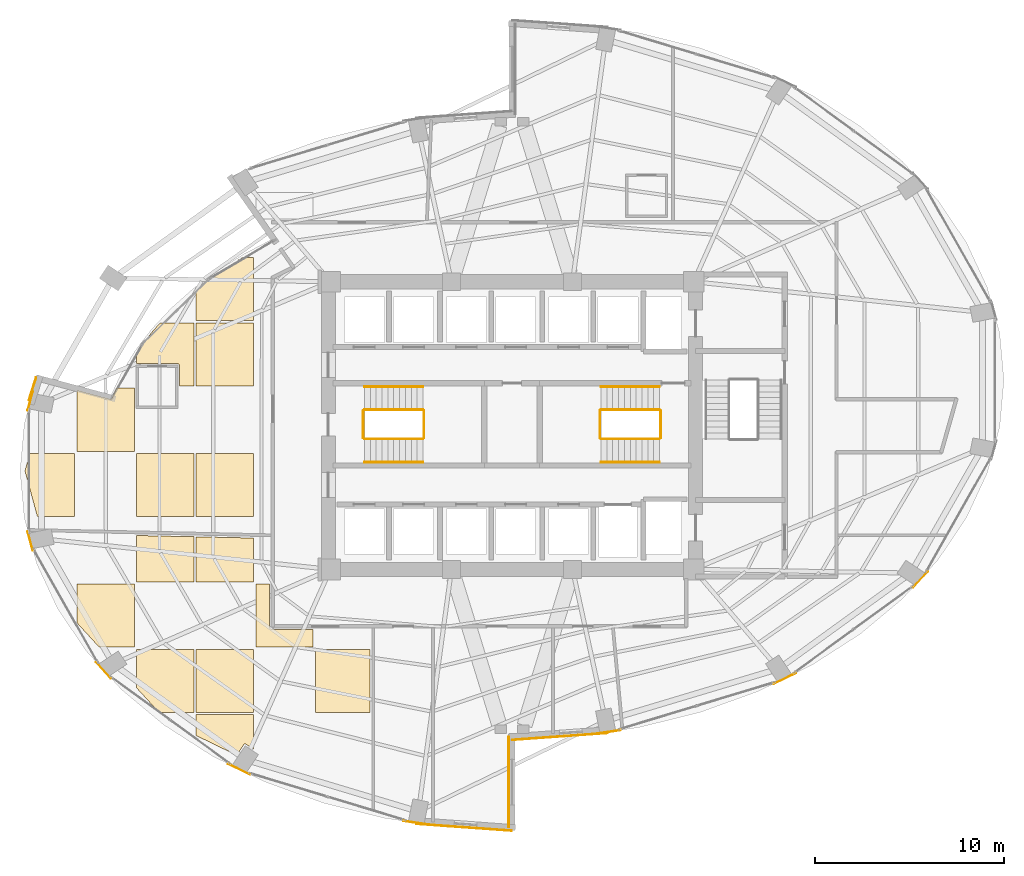
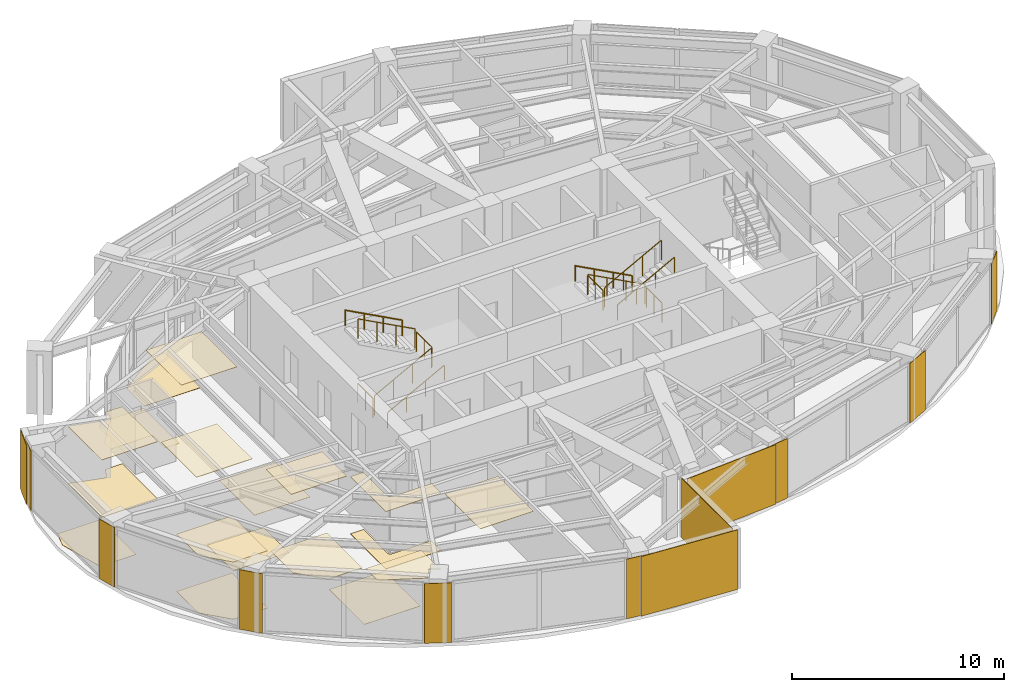
# One storey, part 23 of 24: 30 coverings, 12 railings.
"""IFC4 building model written with IfcOpenShell, lengths in metres."""

import ifcopenshell
import ifcopenshell.guid

model = None  # the IFC model being written
_history = None  # IfcOwnerHistory: only IFC2X3 demands one
_inside = {}  # id of a spatial element -> (the spatial element, [elements in it])
_under = {}  # id of a project, library or spatial element -> (it, [spatial elements below it])
_declared = {}  # id of a project -> (the project, [libraries it declares])
_typed = {}  # id of a type object -> (the type object, [elements of that type])
_made_of = {}  # id of a material, layer set ... -> (it, [elements and type objects made of it])


def new_model(schema):
    """Start an empty IFC model of exactly this schema.

    Asked for "IFC4X3", IfcOpenShell would pick the latest addendum, in which some entities
    have other attributes; the version numbers below select the first issue.
    IFC2X3 requires an IfcOwnerHistory on every rooted entity: one is made here for all.
    """
    global model, _history
    if schema == "IFC4X3":
        model = ifcopenshell.file(schema_version=(4, 3, 0, 0))
    else:
        model = ifcopenshell.file(schema=schema)
    _inside.clear()
    _under.clear()
    _declared.clear()
    _typed.clear()
    _made_of.clear()
    _history = None
    if model.schema == "IFC2X3":
        org = make("IfcOrganization", Name="unknown")
        user = make(
            "IfcPersonAndOrganization",
            ThePerson=make("IfcPerson", FamilyName="unknown"),
            TheOrganization=org,
        )
        app = make(
            "IfcApplication",
            ApplicationDeveloper=org,
            Version="unknown",
            ApplicationFullName="unknown",
            ApplicationIdentifier="unknown",
        )
        _history = make(
            "IfcOwnerHistory",
            OwningUser=user,
            OwningApplication=app,
            ChangeAction="ADDED",
            CreationDate=0,
        )
    return model


def make(cls, **values):
    """One entity of the class cls with the attributes given. An attribute that is None is left unset."""
    return model.create_entity(
        cls, **{name: value for name, value in values.items() if value is not None}
    )


def rooted(cls, **values):
    """An entity with a GlobalId (a new one), such as an element, a storey or a relation."""
    return make(cls, GlobalId=ifcopenshell.guid.new(), OwnerHistory=_history, **values)


def si_unit(unit_type, name, prefix=None):
    """IfcSIUnit, for example si_unit("LENGTHUNIT", "METRE", prefix="MILLI")."""
    return make("IfcSIUnit", UnitType=unit_type, Prefix=prefix, Name=name)


def assignment(units):
    """IfcUnitAssignment: the units of a project."""
    return None if units is None else make("IfcUnitAssignment", Units=units)


def point(xyz):
    """IfcCartesianPoint."""
    return None if xyz is None else make("IfcCartesianPoint", Coordinates=xyz)


def direction(xyz):
    """IfcDirection."""
    return None if xyz is None else make("IfcDirection", DirectionRatios=xyz)


def frame(location, z_axis=None, x_axis=None):
    """IfcAxis2Placement3D, a coordinate frame: its origin and axes. An axis left out is left unset."""
    return make(
        "IfcAxis2Placement3D",
        Location=point(location),
        Axis=direction(z_axis),
        RefDirection=direction(x_axis),
    )


def frame_2d(location, x_axis=None):
    """IfcAxis2Placement2D, a coordinate frame in the plane: its origin and x axis."""
    return make(
        "IfcAxis2Placement2D", Location=point(location), RefDirection=direction(x_axis)
    )


def origin():
    """The frame at (0, 0, 0) with its axes left unset."""
    return frame((0.0, 0.0, 0.0))


def origin_2d():
    """The frame at (0, 0) in the plane with its x axis left unset."""
    return frame_2d((0.0, 0.0))


def place(relative_to, where):
    """IfcLocalPlacement: puts the frame where relative to a parent placement (None: the world)."""
    return make(
        "IfcLocalPlacement", PlacementRelTo=relative_to, RelativePlacement=where
    )


def context(
    kind, dimensions, precision=None, world=None, true_north=None, identifier=None
):
    """IfcGeometricRepresentationContext, for example the 3D "Model" context."""
    return make(
        "IfcGeometricRepresentationContext",
        ContextIdentifier=identifier,
        ContextType=kind,
        CoordinateSpaceDimension=dimensions,
        Precision=precision,
        WorldCoordinateSystem=world,
        TrueNorth=true_north,
    )


def subcontext(parent, identifier, kind, view, scale=None):
    """IfcGeometricRepresentationSubContext, for example "Body" below "Model"."""
    return make(
        "IfcGeometricRepresentationSubContext",
        ContextIdentifier=identifier,
        ContextType=kind,
        ParentContext=parent,
        TargetScale=scale,
        TargetView=view,
    )


def project(units=None, contexts=None):
    """IfcProject with its units and contexts."""
    return rooted(
        "IfcProject",
        Name="project",
        RepresentationContexts=contexts,
        UnitsInContext=assignment(units),
    )


def spatial(cls, under=None, at=None, **own):
    """A site, building, storey or space (cls), placed at a placement, below another one or the project."""
    s = rooted(cls, ObjectPlacement=at, **own)
    if under is not None:
        _under.setdefault(under.id(), (under, []))[1].append(s)
    return s


def polyline(points):
    """IfcPolyline through the points."""
    return make("IfcPolyline", Points=[point(p) for p in points])


def profile(cls, at=None, kind="AREA", **sizes):
    """A parametric profile (cls). Its sizes go by their IFC names, for example OverallWidth=200.0."""
    return make(cls, ProfileType=kind, Position=at, **sizes)


def rectangle(**sizes):
    """IfcRectangleProfileDef."""
    return profile("IfcRectangleProfileDef", **sizes)


def circle(**sizes):
    """IfcCircleProfileDef."""
    return profile("IfcCircleProfileDef", **sizes)


def outline(outer, holes=None, kind="AREA"):
    """IfcArbitraryClosedProfileDef: a profile drawn as a closed curve; with holes, ...WithVoids."""
    if holes is None:
        return make("IfcArbitraryClosedProfileDef", ProfileType=kind, OuterCurve=outer)
    return make(
        "IfcArbitraryProfileDefWithVoids",
        ProfileType=kind,
        OuterCurve=outer,
        InnerCurves=holes,
    )


def extrude(swept, where, along, depth):
    """IfcExtrudedAreaSolid: the profile swept, set in the frame where, extruded along a direction by depth."""
    return make(
        "IfcExtrudedAreaSolid",
        SweptArea=swept,
        Position=where,
        ExtrudedDirection=direction(along),
        Depth=depth,
    )


def shape(context_of_items, identifier, shape_type, items):
    """IfcShapeRepresentation: the items that make up one representation, for example the "Body"."""
    return make(
        "IfcShapeRepresentation",
        ContextOfItems=context_of_items,
        RepresentationIdentifier=identifier,
        RepresentationType=shape_type,
        Items=items,
    )


def material(Name=None, Category=None):
    """IfcMaterial."""
    return make("IfcMaterial", Name=Name, Category=Category)


def layer(
    of_material, thickness, ventilated=None, Name=None, Category=None, Priority=None
):
    """IfcMaterialLayer: one layer of a wall or slab, of a material (None: an air gap)."""
    return make(
        "IfcMaterialLayer",
        Material=of_material,
        LayerThickness=thickness,
        IsVentilated=ventilated,
        Name=Name,
        Category=Category,
        Priority=Priority,
    )


def layer_set(layers, Name=None):
    """IfcMaterialLayerSet."""
    return make("IfcMaterialLayerSet", MaterialLayers=layers, LayerSetName=Name)


def made_of(thing, what):
    """Note that an element or type object is made of a material, layer set ...; save() writes the relation."""
    if what is not None:
        _made_of.setdefault(what.id(), (what, []))[1].append(thing)
    return thing


def type_object(cls, material=None, **own):
    """A type object (cls), such as IfcWallType, which elements share."""
    return made_of(rooted(cls, **own), material)


def element(
    cls,
    number,
    at=None,
    inside=None,
    cuts=None,
    type_object=None,
    material=None,
    context=None,
    identifier="Body",
    shape_type=None,
    held_by="IfcProductDefinitionShape",
    body=None,
    shapes=None,
    **own,
):
    """One element of the class cls, such as IfcWall. Its Tag is "e" and its number.

    at: its placement. inside: the storey or other place that contains it. cuts: it is an
    opening in that element (IfcRelVoidsElement). A single representation is given by context,
    identifier, shape_type and body (its items); several are given by shapes. held_by: the class
    of the entity that holds the representations. save() writes the other relations.
    """
    e = rooted(cls, Tag="e%d" % number, ObjectPlacement=at, **own)
    if body is not None:
        shapes = [shape(context, identifier, shape_type, body)]
    if shapes is not None:
        e.Representation = make(held_by, Representations=shapes)
    if inside is not None:
        _inside.setdefault(inside.id(), (inside, []))[1].append(e)
    if cuts is not None:
        rooted(
            "IfcRelVoidsElement", RelatingBuildingElement=cuts, RelatedOpeningElement=e
        )
    if type_object is not None:
        _typed.setdefault(type_object.id(), (type_object, []))[1].append(e)
    return made_of(e, material)


def aggregate(whole, parts):
    """IfcRelAggregates: a whole, such as a stair, and the parts it consists of."""
    return rooted("IfcRelAggregates", RelatingObject=whole, RelatedObjects=parts)


def save(model, path):
    """Write the relations noted so far, then the file.

    IfcRelAggregates (storeys below a building ...), IfcRelContainedInSpatialStructure (elements
    in a storey), IfcRelDefinesByType, IfcRelAssociatesMaterial and IfcRelDeclares: one each for
    every whole, place, type object, material and project.
    """
    for whole, parts in _under.values():
        aggregate(whole, parts)
    for where, things in _inside.values():
        rooted(
            "IfcRelContainedInSpatialStructure",
            RelatedElements=things,
            RelatingStructure=where,
        )
    for kind, things in _typed.values():
        rooted("IfcRelDefinesByType", RelatedObjects=things, RelatingType=kind)
    for what, things in _made_of.values():
        rooted("IfcRelAssociatesMaterial", RelatedObjects=things, RelatingMaterial=what)
    for by, libraries in _declared.values():
        rooted("IfcRelDeclares", RelatingContext=by, RelatedDefinitions=libraries)
    model.write(path)


model = new_model("IFC4")

# Units and contexts
model_context = context("Model", 3, precision=1e-05, world=origin(), true_north=direction((0.0, 1.0)))
body_context = subcontext(model_context, "Body", "Model", "MODEL_VIEW")
ifc_project = project(units=[si_unit("LENGTHUNIT", "METRE"), si_unit("AREAUNIT", "SQUARE_METRE"), si_unit("VOLUMEUNIT", "CUBIC_METRE"), si_unit("PLANEANGLEUNIT", "RADIAN"), si_unit("MASSUNIT", "GRAM", prefix="KILO")], contexts=[model_context])

# Site, building, storey
site_placement = place(None, origin())
site = spatial("IfcSite", under=ifc_project, at=site_placement, CompositionType="ELEMENT")
building_placement = place(site_placement, origin())
building = spatial("IfcBuilding", under=site, at=building_placement, Name="Lazwardi Medical Tower", CompositionType="ELEMENT")
storey_placement = place(building_placement, frame((0.0, 0.0, 118.22412109375)))
storey = spatial("IfcBuildingStorey", under=building, at=storey_placement, Name="L30", CompositionType="ELEMENT", Elevation=118.22412109375)

# Coverings
ifc_material_1 = material(Name="Anodised bronze aluminium cassette cladding", Category="aluminium")
ifc_layer_1 = layer(ifc_material_1, 0.030029296875)
ifc_layer_set_1 = layer_set([ifc_layer_1], Name="Anodised bronze aluminium cassette cladding")
covering_type_1 = type_object("IfcCoveringType", Name="COV-CLD-BRZ", PredefinedType="CLADDING", material=ifc_layer_set_1)
covering_1_placement = place(storey_placement, frame((41.064208984375, 11.80322265625, 0.0), z_axis=(0.0, 0.0, 1.0), x_axis=(0.989609019093, 0.143784523955, 0.0)))
element("IfcCovering", 1, at=covering_1_placement, inside=storey, type_object=covering_type_1, Name="L30 Mega-column bronze cassette cover M01", PredefinedType="CLADDING", context=body_context, shape_type="SweptSolid", body=[
    extrude(rectangle(XDim=1.392333984375, YDim=0.030029296875, at=origin_2d()), origin(), (0.0, 0.0, 1.0), 3.427978515625),
])
covering_2_placement = place(storey_placement, frame((50.421875, 14.634521484375, 0.0), z_axis=(0.0, 0.0, 1.0), x_axis=(0.898679250201, 0.438606435495, 0.0)))
element("IfcCovering", 2, at=covering_2_placement, inside=storey, type_object=covering_type_1, Name="L30 Mega-column bronze cassette cover M02", PredefinedType="CLADDING", context=body_context, shape_type="SweptSolid", body=[
    extrude(rectangle(XDim=1.2998046875, YDim=0.030029296875, at=origin_2d()), origin(), (0.0, 0.0, 1.0), 3.427978515625),
])
covering_3_placement = place(storey_placement, frame((57.583740234375, 19.86572265625, 0.0), z_axis=(0.0, 0.0, 1.0), x_axis=(0.674925949214, 0.737885467453, 0.0)))
element("IfcCovering", 3, at=covering_3_placement, inside=storey, type_object=covering_type_1, Name="L30 Mega-column bronze cassette cover M03", PredefinedType="CLADDING", context=body_context, shape_type="SweptSolid", body=[
    extrude(rectangle(XDim=1.15625, YDim=0.030029296875, at=origin_2d()), origin(), (0.0, 0.0, 1.0), 3.427978515625),
])
for number, where, z_axis, x_axis, name in (
    (4, (10.540283203125, 29.299072265625, 0.0), (0.0, 0.0, 1.0), (-0.262696108164, -0.964878621774, 0.0), "L30 Mega-column bronze cassette cover M12"),
    (5, (10.540283203125, 21.90087890625, 0.0), (0.0, 0.0, 1.0), (0.262696108164, -0.964878621774, 0.0), "L30 Mega-column bronze cassette cover M13"),
):
    element("IfcCovering", number, at=place(storey_placement, frame(where, z_axis=z_axis, x_axis=x_axis)), inside=storey, type_object=covering_type_1, Name=name, PredefinedType="CLADDING", context=body_context, shape_type="SweptSolid", body=[
        extrude(rectangle(XDim=1.04296875, YDim=0.030029296875, at=origin_2d()), origin(), (0.0, 0.0, 1.0), 3.427978515625),
    ])
covering_4_placement = place(storey_placement, frame((14.416259765625, 15.06591796875, 0.0), z_axis=(0.0, 0.0, 1.0), x_axis=(0.674925949214, -0.737885467453, 0.0)))
element("IfcCovering", 6, at=covering_4_placement, inside=storey, type_object=covering_type_1, Name="L30 Mega-column bronze cassette cover M14", PredefinedType="CLADDING", context=body_context, shape_type="SweptSolid", body=[
    extrude(rectangle(XDim=1.15625, YDim=0.030029296875, at=origin_2d()), origin(), (0.0, 0.0, 1.0), 3.427978515625),
])
covering_5_placement = place(storey_placement, frame((21.578125, 9.83447265625, 0.0), z_axis=(0.0, 0.0, 1.0), x_axis=(0.898679250201, -0.438606435495, 0.0)))
element("IfcCovering", 7, at=covering_5_placement, inside=storey, type_object=covering_type_1, Name="L30 Mega-column bronze cassette cover M15", PredefinedType="CLADDING", context=body_context, shape_type="SweptSolid", body=[
    extrude(rectangle(XDim=1.2998046875, YDim=0.030029296875, at=origin_2d()), origin(), (0.0, 0.0, 1.0), 3.427978515625),
])
covering_6_placement = place(storey_placement, frame((30.935791015625, 7.00341796875, 0.0), z_axis=(0.0, 0.0, 1.0), x_axis=(0.989609019093, -0.143784523955, 0.0)))
element("IfcCovering", 8, at=covering_6_placement, inside=storey, type_object=covering_type_1, Name="L30 Mega-column bronze cassette cover M16", PredefinedType="CLADDING", context=body_context, shape_type="SweptSolid", body=[
    extrude(rectangle(XDim=1.392333984375, YDim=0.030029296875, at=origin_2d()), origin(), (0.0, 0.0, 1.0), 3.427978515625),
])
ifc_material_2 = material(Name="Turquoise glazed ceramic tilework cladding", Category="masonry")
ifc_layer_2 = layer(ifc_material_2, 0.034912109375)
ifc_layer_set_2 = layer_set([ifc_layer_2], Name="Turquoise glazed ceramic tilework cladding")
covering_type_2 = type_object("IfcCoveringType", Name="COV-CLD-TRQ", PredefinedType="CLADDING", material=ifc_layer_set_2)
covering_7_placement = place(storey_placement, frame((38.533203125, 11.56591796875, 0.0), z_axis=(0.0, 0.0, 1.0), x_axis=(0.997431665415, 0.07162452672, 0.0)))
element("IfcCovering", 9, at=covering_7_placement, inside=storey, type_object=covering_type_2, Name="L30 Turquoise glazed ceramic tilework cladding", PredefinedType="CLADDING", context=body_context, shape_type="SweptSolid", body=[
    extrude(rectangle(XDim=5.05419921875, YDim=0.034912109375, at=origin_2d()), origin(), (0.0, 0.0, 1.0), 3.427978515625),
])
covering_8_placement = place(storey_placement, frame((33.466552734375, 6.76611328125, 0.0), z_axis=(0.0, 0.0, 1.0), x_axis=(0.997431165357, -0.071631490105, 0.0)))
element("IfcCovering", 10, at=covering_8_placement, inside=storey, type_object=covering_type_2, Name="L30 Turquoise glazed ceramic tilework cladding", PredefinedType="CLADDING", context=body_context, shape_type="SweptSolid", body=[
    extrude(rectangle(XDim=5.0537109375, YDim=0.034912109375, at=origin_2d()), origin(), (0.0, 0.0, 1.0), 3.427978515625),
])
covering_9_placement = place(storey_placement, frame((35.824462890625, 9.159912109375, 0.0), z_axis=(0.0, 0.0, 1.0), x_axis=(0.0, 1.0, 0.0)))
element("IfcCovering", 11, at=covering_9_placement, inside=storey, type_object=covering_type_2, Name="L30 Turquoise glazed ceramic tilework iwan panel", PredefinedType="CLADDING", context=body_context, shape_type="SweptSolid", body=[
    extrude(rectangle(XDim=4.800048828125, YDim=0.034912109375, at=origin_2d()), origin(), (0.0, 0.0, 1.0), 3.427978515625),
])
covering_10_placement = place(storey_placement, frame((10.661865234375, 29.933837890625, 0.0), z_axis=(0.0, 0.0, 1.0), x_axis=(-0.304555105539, -0.952494717933, 0.0)))
element("IfcCovering", 12, at=covering_10_placement, inside=storey, type_object=covering_type_2, Name="L30 Turquoise glazed ceramic tilework cladding", PredefinedType="CLADDING", context=body_context, shape_type="SweptSolid", body=[
    extrude(rectangle(XDim=1.26171875, YDim=0.034912109375, at=origin_2d()), origin(), (0.0, 0.0, 1.0), 3.427978515625),
])
ifc_material_3 = material(Name="Acoustic mineral fibre tile")
ifc_layer_3 = layer(ifc_material_3, 0.02490234375)
ifc_layer_set_3 = layer_set([ifc_layer_3], Name="Acoustic mineral fibre tile")
covering_type_3 = type_object("IfcCoveringType", Name="COV-CLG-01", PredefinedType="CEILING", material=ifc_layer_set_3)
covering_11_placement = place(storey_placement, frame((0.0, 0.0, 3.282958984375)))
element("IfcCovering", 13, at=covering_11_placement, inside=storey, type_object=covering_type_3, Name="L30 Clinical Acoustic Ceiling 1", PredefinedType="CEILING", context=body_context, shape_type="SweptSolid", body=[
    extrude(outline(polyline([(13.012939453125, 17.56982421875), (14.18408203125, 16.29248046875), (16.04296875, 16.29248046875), (16.04296875, 19.622314453125), (13.012939453125, 19.622314453125), (13.012939453125, 17.56982421875)])), origin(), (0.0, 0.0, 1.0), 0.02490234375),
])
covering_12_placement = place(storey_placement, frame((0.0, 0.0, 3.282958984375)))
element("IfcCovering", 14, at=covering_12_placement, inside=storey, type_object=covering_type_3, Name="L30 Clinical Acoustic Ceiling 2", PredefinedType="CEILING", context=body_context, shape_type="SweptSolid", body=[
    extrude(outline(polyline([(16.04296875, 28.943359375), (16.0419921875, 28.949951171875), (16.041259765625, 28.956787109375), (16.040771484375, 28.963623046875), (16.040771484375, 28.968505859375), (16.040771484375, 29.972412109375), (15.108154296875, 29.972412109375), (14.86083984375, 29.438232421875), (14.857177734375, 29.43115234375), (14.852783203125, 29.424560546875), (14.84765625, 29.41845703125), (14.842041015625, 29.41259765625), (14.8359375, 29.40771484375), (14.829345703125, 29.4033203125), (14.822265625, 29.3994140625), (14.814697265625, 29.396484375), (14.80712890625, 29.394287109375), (14.79931640625, 29.392578125), (14.791259765625, 29.39208984375), (14.783203125, 29.39208984375), (14.775390625, 29.392822265625), (14.767578125, 29.39453125), (13.012939453125, 29.86474609375), (13.012939453125, 26.642333984375), (16.04296875, 26.642333984375), (16.04296875, 28.943359375)])), origin(), (0.0, 0.0, 1.0), 0.02490234375),
])
covering_13_placement = place(storey_placement, frame((0.0, 0.0, 3.282958984375)))
element("IfcCovering", 15, at=covering_13_placement, inside=storey, type_object=covering_type_3, Name="L30 Clinical Acoustic Ceiling 3", PredefinedType="CEILING", context=body_context, shape_type="SweptSolid", body=[
    extrude(outline(polyline([(16.162841796875, 14.1337890625), (17.3466796875, 12.84228515625), (19.19287109375, 12.84228515625), (19.19287109375, 16.17236328125), (16.162841796875, 16.17236328125), (16.162841796875, 14.1337890625)])), origin(), (0.0, 0.0, 1.0), 0.02490234375),
])
covering_14_placement = place(storey_placement, frame((0.0, 0.0, 3.282958984375)))
element("IfcCovering", 16, at=covering_14_placement, inside=storey, type_object=covering_type_3, Name="L30 Clinical Acoustic Ceiling 4", PredefinedType="CEILING", context=body_context, shape_type="SweptSolid", body=[
    extrude(outline(polyline([(19.19287109375, 23.1923828125), (19.19287109375, 26.5224609375), (16.162841796875, 26.5224609375), (16.162841796875, 23.1923828125), (19.19287109375, 23.1923828125)])), origin(), (0.0, 0.0, 1.0), 0.02490234375),
])
covering_15_placement = place(storey_placement, frame((0.0, 0.0, 3.282958984375)))
element("IfcCovering", 17, at=covering_15_placement, inside=storey, type_object=covering_type_3, Name="L30 Clinical Acoustic Ceiling 5", PredefinedType="CEILING", context=body_context, shape_type="SweptSolid", body=[
    extrude(outline(polyline([(19.31298828125, 11.616455078125), (21.447509765625, 10.576904296875), (21.828369140625, 11.14697265625), (21.8330078125, 11.1533203125), (21.83837890625, 11.1591796875), (21.843994140625, 11.164306640625), (21.8505859375, 11.1689453125), (21.857177734375, 11.173095703125), (21.8642578125, 11.176513671875), (21.87158203125, 11.17919921875), (21.87939453125, 11.180908203125), (21.88720703125, 11.18212890625), (21.89501953125, 11.1826171875), (21.902587890625, 11.18212890625), (21.910400390625, 11.180908203125), (21.918212890625, 11.17919921875), (21.925537109375, 11.176513671875), (21.9326171875, 11.173095703125), (21.939208984375, 11.1689453125), (22.343017578125, 10.8994140625), (22.343017578125, 12.722412109375), (19.31298828125, 12.722412109375), (19.31298828125, 11.616455078125)])), origin(), (0.0, 0.0, 1.0), 0.02490234375),
])
covering_16_placement = place(storey_placement, frame((0.0, 0.0, 3.282958984375)))
element("IfcCovering", 18, at=covering_16_placement, inside=storey, type_object=covering_type_3, Name="L30 Clinical Acoustic Ceiling 6", PredefinedType="CEILING", context=body_context, shape_type="SweptSolid", body=[
    extrude(outline(polyline([(22.343017578125, 22.056396484375), (19.31298828125, 22.1220703125), (19.31298828125, 19.742431640625), (22.343017578125, 19.742431640625), (22.343017578125, 22.056396484375)])), origin(), (0.0, 0.0, 1.0), 0.02490234375),
])
covering_17_placement = place(storey_placement, frame((0.0, 0.0, 3.282958984375)))
element("IfcCovering", 19, at=covering_17_placement, inside=storey, type_object=covering_type_3, Name="L30 Clinical Acoustic Ceiling 7", PredefinedType="CEILING", context=body_context, shape_type="SweptSolid", body=[
    extrude(outline(polyline([(22.343017578125, 30.09228515625), (22.343017578125, 33.42236328125), (19.31298828125, 33.42236328125), (19.31298828125, 30.09228515625), (22.343017578125, 30.09228515625)])), origin(), (0.0, 0.0, 1.0), 0.02490234375),
])
covering_18_placement = place(storey_placement, frame((0.0, 0.0, 3.282958984375)))
element("IfcCovering", 20, at=covering_18_placement, inside=storey, type_object=covering_type_3, Name="L30 Clinical Acoustic Ceiling 8", PredefinedType="CEILING", context=body_context, shape_type="SweptSolid", body=[
    extrude(outline(polyline([(25.492919921875, 17.22509765625), (23.35009765625, 17.22509765625), (23.345703125, 17.22509765625), (23.33642578125, 17.2255859375), (23.32958984375, 17.226318359375), (23.3203125, 17.2275390625), (23.31201171875, 17.229248046875), (23.302734375, 17.2314453125), (23.2958984375, 17.233642578125), (23.287109375, 17.23681640625), (23.279296875, 17.239990234375), (23.270751953125, 17.243896484375), (23.263916015625, 17.24755859375), (23.256103515625, 17.25244140625), (23.249267578125, 17.2568359375), (23.24169921875, 17.262451171875), (23.236083984375, 17.26708984375), (23.229248046875, 17.273193359375), (23.223388671875, 17.279296875), (23.217041015625, 17.2861328125), (23.21240234375, 17.291748046875), (23.206787109375, 17.29931640625), (23.202392578125, 17.305908203125), (23.197509765625, 17.31396484375), (23.194091796875, 17.32080078125), (23.18994140625, 17.3291015625), (23.186767578125, 17.3369140625), (23.18359375, 17.345703125), (23.181396484375, 17.352783203125), (23.17919921875, 17.36181640625), (23.177490234375, 17.370361328125), (23.17626953125, 17.37939453125), (23.175537109375, 17.386474609375), (23.175048828125, 17.395751953125), (23.175048828125, 17.39990234375), (23.175048828125, 19.622314453125), (22.462890625, 19.622314453125), (22.462890625, 16.29248046875), (25.492919921875, 16.29248046875), (25.492919921875, 17.22509765625)])), origin(), (0.0, 0.0, 1.0), 0.02490234375),
])
covering_19_placement = place(storey_placement, frame((0.0, 0.0, 3.282958984375)))
element("IfcCovering", 21, at=covering_19_placement, inside=storey, type_object=covering_type_3, Name="L30 Clinical Acoustic Ceiling 10", PredefinedType="CEILING", context=body_context, shape_type="SweptSolid", body=[
    extrude(outline(polyline([(28.5048828125, 12.84228515625), (28.5048828125, 16.17236328125), (25.61279296875, 16.17236328125), (25.61279296875, 12.84228515625), (28.5048828125, 12.84228515625)])), origin(), (0.0, 0.0, 1.0), 0.02490234375),
])
ifc_material_4 = material(Name="Anti-static hospital vinyl sheet flooring")
ifc_layer_4 = layer(ifc_material_4, 0.014892578125)
ifc_layer_set_4 = layer_set([ifc_layer_4], Name="Anti-static hospital vinyl sheet flooring")
covering_type_4 = type_object("IfcCoveringType", Name="COV-FLR-01", PredefinedType="FLOORING", material=ifc_layer_set_4)
covering_20_placement = place(storey_placement, origin())
element("IfcCovering", 22, at=covering_20_placement, inside=storey, type_object=covering_type_4, Name="L30 Clinical Vinyl Flooring 1", PredefinedType="FLOORING", context=body_context, shape_type="SweptSolid", body=[
    extrude(outline(polyline([(10.5146484375, 26.5224609375), (10.262939453125, 25.60009765625), (10.919921875, 23.1923828125), (12.892822265625, 23.1923828125), (12.892822265625, 26.5224609375), (10.5146484375, 26.5224609375)])), origin(), (0.0, 0.0, 1.0), 0.014892578125),
])
covering_21_placement = place(storey_placement, origin())
element("IfcCovering", 23, at=covering_21_placement, inside=storey, type_object=covering_type_4, Name="L30 Clinical Vinyl Flooring 2", PredefinedType="FLOORING", context=body_context, shape_type="SweptSolid", body=[
    extrude(outline(polyline([(13.012939453125, 17.56982421875), (14.18408203125, 16.29248046875), (16.04296875, 16.29248046875), (16.04296875, 19.622314453125), (13.012939453125, 19.622314453125), (13.012939453125, 17.56982421875)])), origin(), (0.0, 0.0, 1.0), 0.014892578125),
])
covering_22_placement = place(storey_placement, origin())
element("IfcCovering", 24, at=covering_22_placement, inside=storey, type_object=covering_type_4, Name="L30 Clinical Vinyl Flooring 3", PredefinedType="FLOORING", context=body_context, shape_type="SweptSolid", body=[
    extrude(outline(polyline([(16.04296875, 28.943359375), (16.0419921875, 28.949951171875), (16.041259765625, 28.956787109375), (16.040771484375, 28.963623046875), (16.040771484375, 28.968505859375), (16.040771484375, 29.972412109375), (15.108154296875, 29.972412109375), (14.86083984375, 29.438232421875), (14.857177734375, 29.43115234375), (14.852783203125, 29.424560546875), (14.84765625, 29.41845703125), (14.842041015625, 29.41259765625), (14.8359375, 29.40771484375), (14.829345703125, 29.4033203125), (14.822265625, 29.3994140625), (14.814697265625, 29.396484375), (14.80712890625, 29.394287109375), (14.79931640625, 29.392578125), (14.791259765625, 29.39208984375), (14.783203125, 29.39208984375), (14.775390625, 29.392822265625), (14.767578125, 29.39453125), (13.012939453125, 29.86474609375), (13.012939453125, 26.642333984375), (16.04296875, 26.642333984375), (16.04296875, 28.943359375)])), origin(), (0.0, 0.0, 1.0), 0.014892578125),
])
covering_23_placement = place(storey_placement, origin())
element("IfcCovering", 25, at=covering_23_placement, inside=storey, type_object=covering_type_4, Name="L30 Clinical Vinyl Flooring 4", PredefinedType="FLOORING", context=body_context, shape_type="SweptSolid", body=[
    extrude(outline(polyline([(19.19287109375, 22.124755859375), (16.162841796875, 22.1904296875), (16.162841796875, 19.742431640625), (19.19287109375, 19.742431640625), (19.19287109375, 22.124755859375)])), origin(), (0.0, 0.0, 1.0), 0.014892578125),
])
covering_24_placement = place(storey_placement, origin())
element("IfcCovering", 26, at=covering_24_placement, inside=storey, type_object=covering_type_4, Name="L30 Clinical Vinyl Flooring 5", PredefinedType="FLOORING", context=body_context, shape_type="SweptSolid", body=[
    extrude(outline(polyline([(17.411865234375, 33.42236328125), (17.043212890625, 33.0283203125), (16.16357421875, 31.877197265625), (16.162841796875, 31.8759765625), (16.162841796875, 31.275634765625), (16.16552734375, 31.276123046875), (16.17236328125, 31.277099609375), (16.180419921875, 31.278076171875), (16.187255859375, 31.2783203125), (16.190673828125, 31.2783203125), (18.290771484375, 31.2783203125), (18.294189453125, 31.2783203125), (18.301025390625, 31.278076171875), (18.30908203125, 31.277099609375), (18.31591796875, 31.276123046875), (18.324462890625, 31.274658203125), (18.3310546875, 31.27294921875), (18.337646484375, 31.270751953125), (18.34423828125, 31.2685546875), (18.351318359375, 31.265625), (18.357666015625, 31.2626953125), (18.365478515625, 31.258544921875), (18.371337890625, 31.2548828125), (18.37744140625, 31.250732421875), (18.3828125, 31.24658203125), (18.388671875, 31.241943359375), (18.393798828125, 31.2373046875), (18.399658203125, 31.2314453125), (18.404296875, 31.226318359375), (18.408935546875, 31.220703125), (18.4130859375, 31.215087890625), (18.417236328125, 31.208984375), (18.4208984375, 31.203125), (18.425048828125, 31.1953125), (18.427978515625, 31.189208984375), (18.430908203125, 31.181884765625), (18.43310546875, 31.17529296875), (18.435302734375, 31.168701171875), (18.43701171875, 31.162109375), (18.4384765625, 31.15380859375), (18.439453125, 31.14697265625), (18.440185546875, 31.138916015625), (18.440673828125, 31.1318359375), (18.440673828125, 31.12841796875), (18.440673828125, 30.09228515625), (19.19287109375, 30.09228515625), (19.19287109375, 33.42236328125), (17.411865234375, 33.42236328125)])), origin(), (0.0, 0.0, 1.0), 0.014892578125),
])
covering_25_placement = place(storey_placement, origin())
element("IfcCovering", 27, at=covering_25_placement, inside=storey, type_object=covering_type_4, Name="L30 Clinical Vinyl Flooring 6", PredefinedType="FLOORING", context=body_context, shape_type="SweptSolid", body=[
    extrude(outline(polyline([(22.343017578125, 12.84228515625), (22.343017578125, 16.17236328125), (19.31298828125, 16.17236328125), (19.31298828125, 12.84228515625), (22.343017578125, 12.84228515625)])), origin(), (0.0, 0.0, 1.0), 0.014892578125),
])
covering_26_placement = place(storey_placement, origin())
element("IfcCovering", 28, at=covering_26_placement, inside=storey, type_object=covering_type_4, Name="L30 Clinical Vinyl Flooring 7", PredefinedType="FLOORING", context=body_context, shape_type="SweptSolid", body=[
    extrude(outline(polyline([(22.343017578125, 23.1923828125), (22.343017578125, 26.5224609375), (19.31298828125, 26.5224609375), (19.31298828125, 23.1923828125), (22.343017578125, 23.1923828125)])), origin(), (0.0, 0.0, 1.0), 0.014892578125),
])
covering_27_placement = place(storey_placement, origin())
element("IfcCovering", 29, at=covering_27_placement, inside=storey, type_object=covering_type_4, Name="L30 Clinical Vinyl Flooring 8", PredefinedType="FLOORING", context=body_context, shape_type="SweptSolid", body=[
    extrude(outline(polyline([(21.735107421875, 36.872314453125), (20.51708984375, 36.1123046875), (19.31298828125, 35.216796875), (19.31298828125, 33.54248046875), (22.343017578125, 33.54248046875), (22.343017578125, 36.872314453125), (21.735107421875, 36.872314453125)])), origin(), (0.0, 0.0, 1.0), 0.014892578125),
])
covering_28_placement = place(storey_placement, origin())
element("IfcCovering", 30, at=covering_28_placement, inside=storey, type_object=covering_type_4, Name="L30 Clinical Vinyl Flooring 9", PredefinedType="FLOORING", context=body_context, shape_type="SweptSolid", body=[
    extrude(outline(polyline([(25.492919921875, 17.22509765625), (23.35009765625, 17.22509765625), (23.345703125, 17.22509765625), (23.33642578125, 17.2255859375), (23.32958984375, 17.226318359375), (23.3203125, 17.2275390625), (23.31201171875, 17.229248046875), (23.302734375, 17.2314453125), (23.2958984375, 17.233642578125), (23.287109375, 17.23681640625), (23.279296875, 17.239990234375), (23.270751953125, 17.243896484375), (23.263916015625, 17.24755859375), (23.256103515625, 17.25244140625), (23.249267578125, 17.2568359375), (23.24169921875, 17.262451171875), (23.236083984375, 17.26708984375), (23.229248046875, 17.273193359375), (23.223388671875, 17.279296875), (23.217041015625, 17.2861328125), (23.21240234375, 17.291748046875), (23.206787109375, 17.29931640625), (23.202392578125, 17.305908203125), (23.197509765625, 17.31396484375), (23.194091796875, 17.32080078125), (23.18994140625, 17.3291015625), (23.186767578125, 17.3369140625), (23.18359375, 17.345703125), (23.181396484375, 17.352783203125), (23.17919921875, 17.36181640625), (23.177490234375, 17.370361328125), (23.17626953125, 17.37939453125), (23.175537109375, 17.386474609375), (23.175048828125, 17.395751953125), (23.175048828125, 17.39990234375), (23.175048828125, 19.622314453125), (22.462890625, 19.622314453125), (22.462890625, 16.29248046875), (25.492919921875, 16.29248046875), (25.492919921875, 17.22509765625)])), origin(), (0.0, 0.0, 1.0), 0.014892578125),
])

# Railings
ifc_material_5 = material(Name="Stainless steel Grade 316", Category="steel")
railing_type_1 = type_object("IfcRailingType", Name="RLG-GRD-1150", PredefinedType="GUARDRAIL", material=ifc_material_5)
railing_1_placement = place(storey_placement, frame((28.199951171875, 27.2900390625, 0.165771484375)))
element("IfcRailing", 31, at=railing_1_placement, inside=storey, type_object=railing_type_1, Name="L30 ST1 stair guard 1", PredefinedType="GUARDRAIL", context=body_context, shape_type="SweptSolid", body=[
    extrude(circle(Radius=0.02392578125, at=origin_2d()), frame((0.0, 0.0, 1.1259765625), z_axis=(0.881783298633, 0.0, 0.471654761719), x_axis=(0.0, 1.0, 0.0)), (0.0, 0.0, 1.0), 3.515625),
    extrude(circle(Radius=0.02099609375, at=origin_2d()), origin(), (0.0, 0.0, 1.0), 1.099853515625),
    extrude(circle(Radius=0.02099609375, at=origin_2d()), frame((1.033447265625, 0.0, 0.552734375)), (0.0, 0.0, 1.0), 1.099853515625),
    extrude(circle(Radius=0.02099609375, at=origin_2d()), frame((2.066650390625, 0.0, 1.10546875)), (0.0, 0.0, 1.0), 1.099853515625),
    extrude(circle(Radius=0.02099609375, at=origin_2d()), frame((3.10009765625, 0.0, 1.658203125)), (0.0, 0.0, 1.0), 1.099853515625),
])
railing_2_placement = place(storey_placement, frame((31.35009765625, 27.340087890625, 1.823974609375)))
element("IfcRailing", 32, at=railing_2_placement, inside=storey, type_object=railing_type_1, Name="L30 ST1 stair guard 2", PredefinedType="GUARDRAIL", context=body_context, shape_type="SweptSolid", body=[
    extrude(circle(Radius=0.02392578125, at=origin_2d()), frame((0.0, 0.0, 1.1259765625), z_axis=(0.0, 1.0, 0.0), x_axis=(-1.0, 0.0, 0.0)), (0.0, 0.0, 1.0), 1.43994140625),
    extrude(circle(Radius=0.02099609375, at=origin_2d()), origin(), (0.0, 0.0, 1.0), 1.099853515625),
    extrude(circle(Radius=0.02099609375, at=origin_2d()), frame((0.0, 0.719970703125, 0.0)), (0.0, 0.0, 1.0), 1.099853515625),
    extrude(circle(Radius=0.02099609375, at=origin_2d()), frame((0.0, 1.43994140625, 0.0)), (0.0, 0.0, 1.0), 1.099853515625),
])
railing_3_placement = place(storey_placement, frame((31.300048828125, 28.830078125, 1.98974609375)))
element("IfcRailing", 33, at=railing_3_placement, inside=storey, type_object=railing_type_1, Name="L30 ST1 stair guard 3", PredefinedType="GUARDRAIL", context=body_context, shape_type="SweptSolid", body=[
    extrude(circle(Radius=0.02392578125, at=origin_2d()), frame((0.0, 0.0, 1.1259765625), z_axis=(-0.881783298633, 0.0, 0.471654761719), x_axis=(0.0, -1.0, 0.0)), (0.0, 0.0, 1.0), 3.515625),
    extrude(circle(Radius=0.02099609375, at=origin_2d()), origin(), (0.0, 0.0, 1.0), 1.099853515625),
    extrude(circle(Radius=0.02099609375, at=origin_2d()), frame((-1.033447265625, 0.0, 0.552734375)), (0.0, 0.0, 1.0), 1.099853515625),
    extrude(circle(Radius=0.02099609375, at=origin_2d()), frame((-2.066650390625, 0.0, 1.10546875)), (0.0, 0.0, 1.0), 1.099853515625),
    extrude(circle(Radius=0.02099609375, at=origin_2d()), frame((-3.10009765625, 0.0, 1.658203125)), (0.0, 0.0, 1.0), 1.099853515625),
])
railing_4_placement = place(storey_placement, frame((28.14990234375, 27.340087890625, 0.0)))
element("IfcRailing", 34, at=railing_4_placement, inside=storey, type_object=railing_type_1, Name="L30 ST1 stair guard 4", PredefinedType="GUARDRAIL", context=body_context, shape_type="SweptSolid", body=[
    extrude(circle(Radius=0.02392578125, at=origin_2d()), frame((0.0, 0.0, 1.1259765625), z_axis=(0.0, 1.0, 0.0), x_axis=(-1.0, 0.0, 0.0)), (0.0, 0.0, 1.0), 1.43994140625),
    extrude(circle(Radius=0.02099609375, at=origin_2d()), origin(), (0.0, 0.0, 1.0), 1.099853515625),
    extrude(circle(Radius=0.02099609375, at=origin_2d()), frame((0.0, 0.719970703125, 0.0)), (0.0, 0.0, 1.0), 1.099853515625),
    extrude(circle(Radius=0.02099609375, at=origin_2d()), frame((0.0, 1.43994140625, 0.0)), (0.0, 0.0, 1.0), 1.099853515625),
])
railing_5_placement = place(storey_placement, frame((43.800048828125, 28.830078125, 0.165771484375)))
element("IfcRailing", 35, at=railing_5_placement, inside=storey, type_object=railing_type_1, Name="L30 ST2 stair guard 1", PredefinedType="GUARDRAIL", context=body_context, shape_type="SweptSolid", body=[
    extrude(circle(Radius=0.02392578125, at=origin_2d()), frame((0.0, 0.0, 1.1259765625), z_axis=(-0.881783298633, 0.0, 0.471654761719), x_axis=(0.0, -1.0, 0.0)), (0.0, 0.0, 1.0), 3.515625),
    extrude(circle(Radius=0.02099609375, at=origin_2d()), origin(), (0.0, 0.0, 1.0), 1.099853515625),
    extrude(circle(Radius=0.02099609375, at=origin_2d()), frame((-1.033447265625, 0.0, 0.552734375)), (0.0, 0.0, 1.0), 1.099853515625),
    extrude(circle(Radius=0.02099609375, at=origin_2d()), frame((-2.066650390625, 0.0, 1.10546875)), (0.0, 0.0, 1.0), 1.099853515625),
    extrude(circle(Radius=0.02099609375, at=origin_2d()), frame((-3.10009765625, 0.0, 1.658203125)), (0.0, 0.0, 1.0), 1.099853515625),
])
railing_6_placement = place(storey_placement, frame((40.64990234375, 28.780029296875, 1.823974609375)))
element("IfcRailing", 36, at=railing_6_placement, inside=storey, type_object=railing_type_1, Name="L30 ST2 stair guard 2", PredefinedType="GUARDRAIL", context=body_context, shape_type="SweptSolid", body=[
    extrude(circle(Radius=0.02392578125, at=origin_2d()), frame((0.0, 0.0, 1.1259765625), z_axis=(0.0, -1.0, 0.0), x_axis=(1.0, 0.0, 0.0)), (0.0, 0.0, 1.0), 1.43994140625),
    extrude(circle(Radius=0.02099609375, at=origin_2d()), origin(), (0.0, 0.0, 1.0), 1.099853515625),
    extrude(circle(Radius=0.02099609375, at=origin_2d()), frame((0.0, -0.719970703125, 0.0)), (0.0, 0.0, 1.0), 1.099853515625),
    extrude(circle(Radius=0.02099609375, at=origin_2d()), frame((0.0, -1.43994140625, 0.0)), (0.0, 0.0, 1.0), 1.099853515625),
])
railing_7_placement = place(storey_placement, frame((40.699951171875, 27.2900390625, 1.98974609375)))
element("IfcRailing", 37, at=railing_7_placement, inside=storey, type_object=railing_type_1, Name="L30 ST2 stair guard 3", PredefinedType="GUARDRAIL", context=body_context, shape_type="SweptSolid", body=[
    extrude(circle(Radius=0.02392578125, at=origin_2d()), frame((0.0, 0.0, 1.1259765625), z_axis=(0.881783298633, 0.0, 0.471654761719), x_axis=(0.0, 1.0, 0.0)), (0.0, 0.0, 1.0), 3.515625),
    extrude(circle(Radius=0.02099609375, at=origin_2d()), origin(), (0.0, 0.0, 1.0), 1.099853515625),
    extrude(circle(Radius=0.02099609375, at=origin_2d()), frame((1.033447265625, 0.0, 0.552734375)), (0.0, 0.0, 1.0), 1.099853515625),
    extrude(circle(Radius=0.02099609375, at=origin_2d()), frame((2.066650390625, 0.0, 1.10546875)), (0.0, 0.0, 1.0), 1.099853515625),
    extrude(circle(Radius=0.02099609375, at=origin_2d()), frame((3.10009765625, 0.0, 1.658203125)), (0.0, 0.0, 1.0), 1.099853515625),
])
railing_8_placement = place(storey_placement, frame((43.85009765625, 28.780029296875, 0.0)))
element("IfcRailing", 38, at=railing_8_placement, inside=storey, type_object=railing_type_1, Name="L30 ST2 stair guard 4", PredefinedType="GUARDRAIL", context=body_context, shape_type="SweptSolid", body=[
    extrude(circle(Radius=0.02392578125, at=origin_2d()), frame((0.0, 0.0, 1.1259765625), z_axis=(0.0, -1.0, 0.0), x_axis=(1.0, 0.0, 0.0)), (0.0, 0.0, 1.0), 1.43994140625),
    extrude(circle(Radius=0.02099609375, at=origin_2d()), origin(), (0.0, 0.0, 1.0), 1.099853515625),
    extrude(circle(Radius=0.02099609375, at=origin_2d()), frame((0.0, -0.719970703125, 0.0)), (0.0, 0.0, 1.0), 1.099853515625),
    extrude(circle(Radius=0.02099609375, at=origin_2d()), frame((0.0, -1.43994140625, 0.0)), (0.0, 0.0, 1.0), 1.099853515625),
])
railing_type_2 = type_object("IfcRailingType", Name="RLG-HND-920", PredefinedType="HANDRAIL", material=ifc_material_5)
railing_9_placement = place(storey_placement, frame((28.199951171875, 26.070068359375, 0.165771484375)))
element("IfcRailing", 39, at=railing_9_placement, inside=storey, type_object=railing_type_2, Name="L30 ST1 stair handrail 1", PredefinedType="HANDRAIL", context=body_context, shape_type="SweptSolid", body=[
    extrude(circle(Radius=0.02392578125, at=origin_2d()), frame((0.0, 0.0, 0.8857421875), z_axis=(0.881783298633, 0.0, 0.471654761719), x_axis=(0.0, 1.0, 0.0)), (0.0, 0.0, 1.0), 3.515625),
    extrude(circle(Radius=0.02099609375, at=origin_2d()), origin(), (0.0, 0.0, 1.0), 0.85986328125),
    extrude(circle(Radius=0.02099609375, at=origin_2d()), frame((1.033447265625, 0.0, 0.552734375)), (0.0, 0.0, 1.0), 0.85986328125),
    extrude(circle(Radius=0.02099609375, at=origin_2d()), frame((2.066650390625, 0.0, 1.10546875)), (0.0, 0.0, 1.0), 0.85986328125),
    extrude(circle(Radius=0.02099609375, at=origin_2d()), frame((3.10009765625, 0.0, 1.658203125)), (0.0, 0.0, 1.0), 0.85986328125),
])
for number, where, name in (
    (40, (31.300048828125, 30.050048828125, 1.98974609375), "L30 ST1 stair handrail 2"),
    (41, (43.800048828125, 30.050048828125, 0.165771484375), "L30 ST2 stair handrail 1"),
):
    element("IfcRailing", number, at=place(storey_placement, frame(where)), inside=storey, type_object=railing_type_2, Name=name, PredefinedType="HANDRAIL", context=body_context, shape_type="SweptSolid", body=[
        extrude(circle(Radius=0.02392578125, at=origin_2d()), frame((0.0, 0.0, 0.8857421875), z_axis=(-0.881783298633, 0.0, 0.471654761719), x_axis=(0.0, -1.0, 0.0)), (0.0, 0.0, 1.0), 3.515625),
        extrude(circle(Radius=0.02099609375, at=origin_2d()), origin(), (0.0, 0.0, 1.0), 0.85986328125),
        extrude(circle(Radius=0.02099609375, at=origin_2d()), frame((-1.033447265625, 0.0, 0.552734375)), (0.0, 0.0, 1.0), 0.85986328125),
        extrude(circle(Radius=0.02099609375, at=origin_2d()), frame((-2.066650390625, 0.0, 1.10546875)), (0.0, 0.0, 1.0), 0.85986328125),
        extrude(circle(Radius=0.02099609375, at=origin_2d()), frame((-3.10009765625, 0.0, 1.658203125)), (0.0, 0.0, 1.0), 0.85986328125),
    ])
railing_10_placement = place(storey_placement, frame((40.699951171875, 26.070068359375, 1.98974609375)))
element("IfcRailing", 42, at=railing_10_placement, inside=storey, type_object=railing_type_2, Name="L30 ST2 stair handrail 2", PredefinedType="HANDRAIL", context=body_context, shape_type="SweptSolid", body=[
    extrude(circle(Radius=0.02392578125, at=origin_2d()), frame((0.0, 0.0, 0.8857421875), z_axis=(0.881783298633, 0.0, 0.471654761719), x_axis=(0.0, 1.0, 0.0)), (0.0, 0.0, 1.0), 3.515625),
    extrude(circle(Radius=0.02099609375, at=origin_2d()), origin(), (0.0, 0.0, 1.0), 0.85986328125),
    extrude(circle(Radius=0.02099609375, at=origin_2d()), frame((1.033447265625, 0.0, 0.552734375)), (0.0, 0.0, 1.0), 0.85986328125),
    extrude(circle(Radius=0.02099609375, at=origin_2d()), frame((2.066650390625, 0.0, 1.10546875)), (0.0, 0.0, 1.0), 0.85986328125),
    extrude(circle(Radius=0.02099609375, at=origin_2d()), frame((3.10009765625, 0.0, 1.658203125)), (0.0, 0.0, 1.0), 0.85986328125),
])

save(model, "model.ifc")
